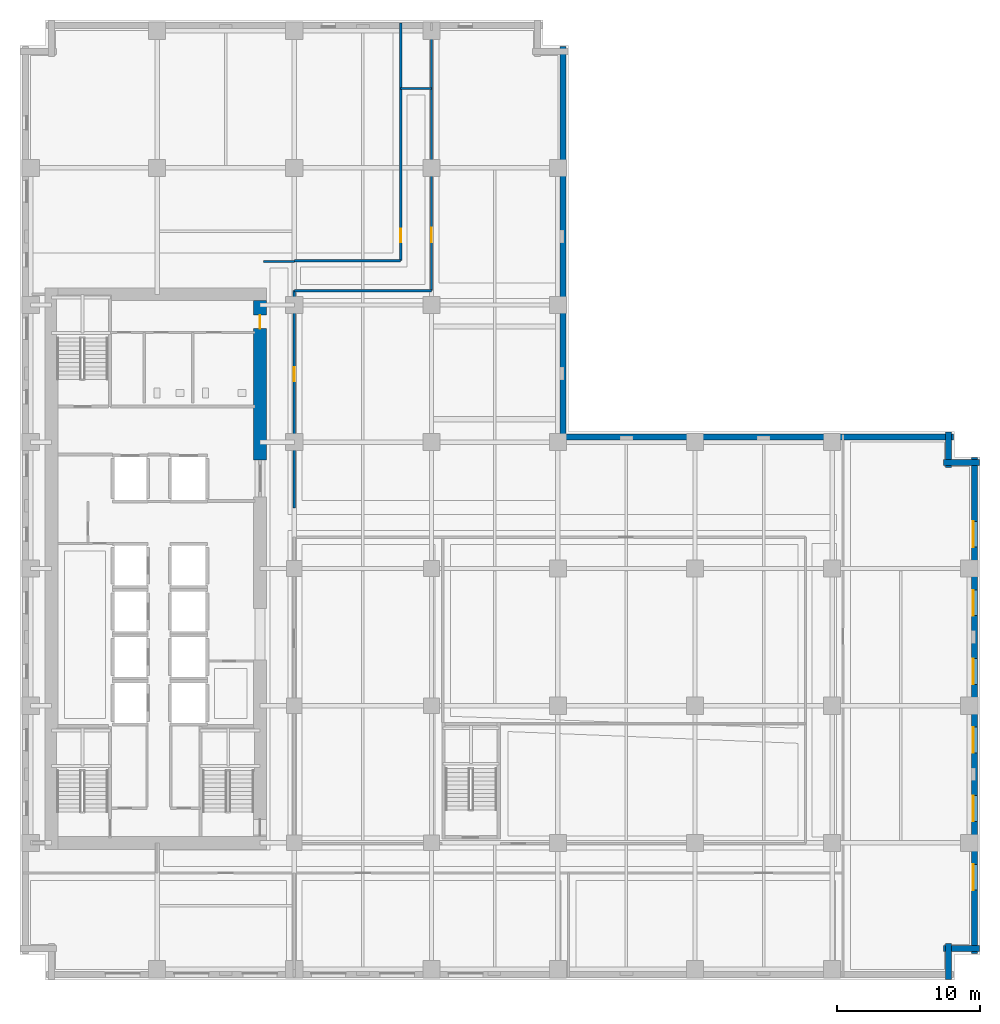
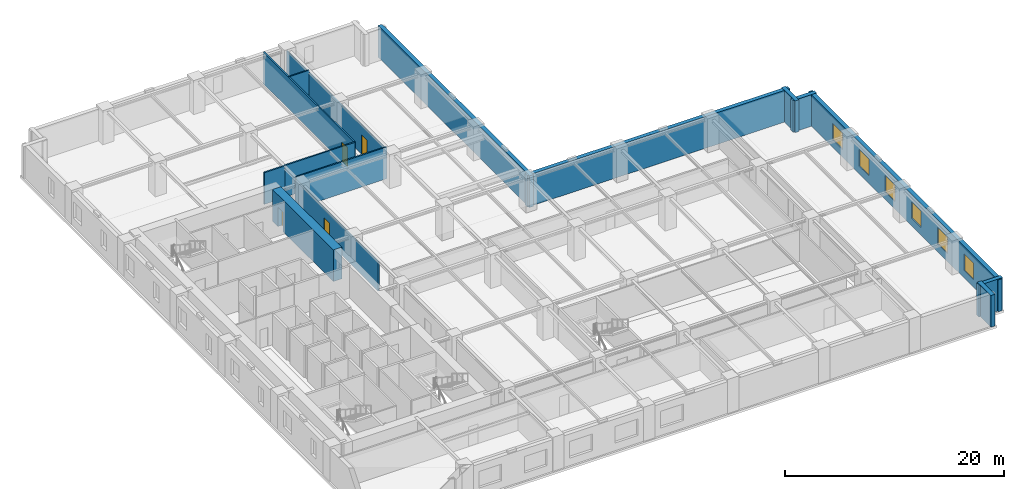
# One storey, part 7 of 13: 15 walls, 6 windows, 4 doors, 10 openings.
"""IFC4 building model written with IfcOpenShell, lengths in metres."""

from ifc_helpers import new_model, si_unit, direction, frame, frame_2d, origin, place, context, subcontext, project, spatial, rectangle, extrude, material, layer, layer_set, type_object, element, fill, save


model = new_model("IFC4")

# Units and contexts
model_context = context("Model", 3, precision=1e-05, world=origin(), true_north=direction((0.0, 1.0)))
body_context = subcontext(model_context, "Body", "Model", "MODEL_VIEW")
ifc_project = project(units=[si_unit("LENGTHUNIT", "METRE"), si_unit("AREAUNIT", "SQUARE_METRE"), si_unit("VOLUMEUNIT", "CUBIC_METRE"), si_unit("PLANEANGLEUNIT", "RADIAN"), si_unit("MASSUNIT", "GRAM", prefix="KILO")], contexts=[model_context])

# Site, building, storey
site_placement = place(None, origin())
site = spatial("IfcSite", under=ifc_project, at=site_placement, CompositionType="ELEMENT")
building_placement = place(site_placement, origin())
building = spatial("IfcBuilding", under=site, at=building_placement, Name="Norrvale University Quadrangle", CompositionType="ELEMENT")
storey_placement = place(building_placement, frame((0.0, 0.0, 54.60009765625)))
storey = spatial("IfcBuildingStorey", under=building, at=storey_placement, Name="L13", CompositionType="ELEMENT", Elevation=54.60009765625)

# Walls
ifc_material_1 = material(Name="Buff Norman Clay Brick Masonry", Category="masonry")
ifc_layer_1 = layer(ifc_material_1, 0.419921875, Name="Buff Norman Clay Brick Masonry")
ifc_layer_set_1 = layer_set([ifc_layer_1], Name="Buff Norman Clay Brick Masonry")
wall_type_1 = type_object("IfcWallType", Name="Wall Buff Brick 420", PredefinedType="SOLIDWALL", material=ifc_layer_set_1)
for number, where, z_axis, x_axis, name in (
    (1, (65.010009765625, 0.0400390625, 0.0), (0.0, 0.0, 1.0), (0.0, 1.0, 0.0), "Exterior Brick Facade Wall L13-02.1"),
    (2, (64.659912109375, 2.18994140625, 0.0), (0.0, 0.0, 1.0), (1.0, 0.0, 0.0), "Exterior Brick Facade Wall L13-03.1"),
):
    element("IfcWall", number, at=place(storey_placement, frame(where, z_axis=z_axis, x_axis=x_axis)), inside=storey, type_object=wall_type_1, Name=name, PredefinedType="SOLIDWALL", context=body_context, shape_type="SweptSolid", body=[
        extrude(rectangle(XDim=2.5, YDim=0.419921875, at=frame_2d((1.25, 0.0))), origin(), (0.0, 0.0, 1.0), 3.539794921875),
    ])

# Wall, openings, windows
wall_1_placement = place(storey_placement, frame((66.81005859375, 1.840087890625, 0.0), z_axis=(0.0, 0.0, 1.0), x_axis=(0.0, 1.0, 0.0)))
wall_1 = element("IfcWall", 3, at=wall_1_placement, inside=storey, type_object=wall_type_1, Name="Exterior Brick Facade Wall L13-04.1", PredefinedType="SOLIDWALL", context=body_context, shape_type="SweptSolid", body=[
    extrude(rectangle(XDim=34.719970703125, YDim=0.419921875, at=frame_2d((17.35986328125, 0.0))), origin(), (0.0, 0.0, 1.0), 3.539794921875),
])
opening_1_placement = place(wall_1_placement, frame((4.4599609375, 0.0, 0.85009765625)))
opening_1 = element("IfcOpeningElement", 4, at=opening_1_placement, cuts=wall_1, Name="Opening W01", PredefinedType="OPENING", context=body_context, shape_type="SweptSolid", body=[
    extrude(rectangle(XDim=1.800048828125, YDim=1.85009765625, at=frame_2d((0.89990234375, 0.925048828125))), frame((0.0, 0.221923828125, 0.0), z_axis=(0.0, -1.0, 0.0), x_axis=(1.0, 0.0, 0.0)), (0.0, 0.0, 1.0), 0.44384765625),
])
opening_2_placement = place(wall_1_placement, frame((9.260009765625, 0.0, 0.85009765625)))
opening_2 = element("IfcOpeningElement", 5, at=opening_2_placement, cuts=wall_1, Name="Opening W01", PredefinedType="OPENING", context=body_context, shape_type="SweptSolid", body=[
    extrude(rectangle(XDim=1.800048828125, YDim=1.85009765625, at=frame_2d((0.89990234375, 0.925048828125))), frame((0.0, 0.221923828125, 0.0), z_axis=(0.0, -1.0, 0.0), x_axis=(1.0, 0.0, 0.0)), (0.0, 0.0, 1.0), 0.44384765625),
])
opening_3_placement = place(wall_1_placement, frame((14.06005859375, 0.0, 0.85009765625)))
opening_3 = element("IfcOpeningElement", 6, at=opening_3_placement, cuts=wall_1, Name="Opening W01", PredefinedType="OPENING", context=body_context, shape_type="SweptSolid", body=[
    extrude(rectangle(XDim=1.800048828125, YDim=1.85009765625, at=frame_2d((0.89990234375, 0.925048828125))), frame((0.0, 0.221923828125, 0.0), z_axis=(0.0, -1.0, 0.0), x_axis=(1.0, 0.0, 0.0)), (0.0, 0.0, 1.0), 0.44384765625),
])
opening_4_placement = place(wall_1_placement, frame((18.860107421875, 0.0, 0.85009765625)))
opening_4 = element("IfcOpeningElement", 7, at=opening_4_placement, cuts=wall_1, Name="Opening W01", PredefinedType="OPENING", context=body_context, shape_type="SweptSolid", body=[
    extrude(rectangle(XDim=1.800048828125, YDim=1.85009765625, at=frame_2d((0.89990234375, 0.925048828125))), frame((0.0, 0.221923828125, 0.0), z_axis=(0.0, -1.0, 0.0), x_axis=(1.0, 0.0, 0.0)), (0.0, 0.0, 1.0), 0.44384765625),
])
opening_5_placement = place(wall_1_placement, frame((23.659912109375, 0.0, 0.85009765625)))
opening_5 = element("IfcOpeningElement", 8, at=opening_5_placement, cuts=wall_1, Name="Opening W01", PredefinedType="OPENING", context=body_context, shape_type="SweptSolid", body=[
    extrude(rectangle(XDim=1.800048828125, YDim=1.85009765625, at=frame_2d((0.89990234375, 0.925048828125))), frame((0.0, 0.221923828125, 0.0), z_axis=(0.0, -1.0, 0.0), x_axis=(1.0, 0.0, 0.0)), (0.0, 0.0, 1.0), 0.44384765625),
])
opening_6_placement = place(wall_1_placement, frame((28.4599609375, 0.0, 0.85009765625)))
opening_6 = element("IfcOpeningElement", 9, at=opening_6_placement, cuts=wall_1, Name="Opening W01", PredefinedType="OPENING", context=body_context, shape_type="SweptSolid", body=[
    extrude(rectangle(XDim=1.800048828125, YDim=1.85009765625, at=frame_2d((0.89990234375, 0.925048828125))), frame((0.0, 0.221923828125, 0.0), z_axis=(0.0, -1.0, 0.0), x_axis=(1.0, 0.0, 0.0)), (0.0, 0.0, 1.0), 0.44384765625),
])
ifc_material_2 = material(Name="Triple Low-E Argon Glazing", Category="glass")
window_type = type_object("IfcWindowType", Name="Window Academic 1800x2300", PartitioningType="DOUBLE_PANEL_VERTICAL", PredefinedType="WINDOW", material=ifc_material_2)
window_1_placement = place(opening_1_placement, origin())
window_1 = element("IfcWindow", 10, at=window_1_placement, inside=storey, type_object=window_type, Name="Window Academic 1800x2300 WIN-L13-E04-1-01", OverallHeight=1.85009765625, OverallWidth=1.800048828125, PartitioningType="DOUBLE_PANEL_VERTICAL", PredefinedType="WINDOW", context=body_context, shape_type="SweptSolid", body=[
    extrude(rectangle(XDim=1.800048828125, YDim=1.85009765625, at=frame_2d((0.89990234375, 0.925048828125))), frame((0.0, 0.110107421875, 0.0), z_axis=(0.0, -1.0, 0.0), x_axis=(1.0, 0.0, 0.0)), (0.0, 0.0, 1.0), 0.06005859375),
])
fill(opening_1, window_1)
window_2_placement = place(opening_2_placement, origin())
window_2 = element("IfcWindow", 11, at=window_2_placement, inside=storey, type_object=window_type, Name="Window Academic 1800x2300 WIN-L13-E04-1-02", OverallHeight=1.85009765625, OverallWidth=1.800048828125, PartitioningType="DOUBLE_PANEL_VERTICAL", PredefinedType="WINDOW", context=body_context, shape_type="SweptSolid", body=[
    extrude(rectangle(XDim=1.800048828125, YDim=1.85009765625, at=frame_2d((0.89990234375, 0.925048828125))), frame((0.0, 0.110107421875, 0.0), z_axis=(0.0, -1.0, 0.0), x_axis=(1.0, 0.0, 0.0)), (0.0, 0.0, 1.0), 0.06005859375),
])
fill(opening_2, window_2)
window_3_placement = place(opening_3_placement, origin())
window_3 = element("IfcWindow", 12, at=window_3_placement, inside=storey, type_object=window_type, Name="Window Academic 1800x2300 WIN-L13-E04-1-03", OverallHeight=1.85009765625, OverallWidth=1.800048828125, PartitioningType="DOUBLE_PANEL_VERTICAL", PredefinedType="WINDOW", context=body_context, shape_type="SweptSolid", body=[
    extrude(rectangle(XDim=1.800048828125, YDim=1.85009765625, at=frame_2d((0.89990234375, 0.925048828125))), frame((0.0, 0.110107421875, 0.0), z_axis=(0.0, -1.0, 0.0), x_axis=(1.0, 0.0, 0.0)), (0.0, 0.0, 1.0), 0.06005859375),
])
fill(opening_3, window_3)
window_4_placement = place(opening_4_placement, origin())
window_4 = element("IfcWindow", 13, at=window_4_placement, inside=storey, type_object=window_type, Name="Window Academic 1800x2300 WIN-L13-E04-1-04", OverallHeight=1.85009765625, OverallWidth=1.800048828125, PartitioningType="DOUBLE_PANEL_VERTICAL", PredefinedType="WINDOW", context=body_context, shape_type="SweptSolid", body=[
    extrude(rectangle(XDim=1.800048828125, YDim=1.85009765625, at=frame_2d((0.89990234375, 0.925048828125))), frame((0.0, 0.110107421875, 0.0), z_axis=(0.0, -1.0, 0.0), x_axis=(1.0, 0.0, 0.0)), (0.0, 0.0, 1.0), 0.06005859375),
])
fill(opening_4, window_4)
window_5_placement = place(opening_5_placement, origin())
window_5 = element("IfcWindow", 14, at=window_5_placement, inside=storey, type_object=window_type, Name="Window Academic 1800x2300 WIN-L13-E04-1-05", OverallHeight=1.85009765625, OverallWidth=1.800048828125, PartitioningType="DOUBLE_PANEL_VERTICAL", PredefinedType="WINDOW", context=body_context, shape_type="SweptSolid", body=[
    extrude(rectangle(XDim=1.800048828125, YDim=1.85009765625, at=frame_2d((0.89990234375, 0.925048828125))), frame((0.0, 0.110107421875, 0.0), z_axis=(0.0, -1.0, 0.0), x_axis=(1.0, 0.0, 0.0)), (0.0, 0.0, 1.0), 0.06005859375),
])
fill(opening_5, window_5)
window_6_placement = place(opening_6_placement, origin())
window_6 = element("IfcWindow", 15, at=window_6_placement, inside=storey, type_object=window_type, Name="Window Academic 1800x2300 WIN-L13-E04-1-06", OverallHeight=1.85009765625, OverallWidth=1.800048828125, PartitioningType="DOUBLE_PANEL_VERTICAL", PredefinedType="WINDOW", context=body_context, shape_type="SweptSolid", body=[
    extrude(rectangle(XDim=1.800048828125, YDim=1.85009765625, at=frame_2d((0.89990234375, 0.925048828125))), frame((0.0, 0.110107421875, 0.0), z_axis=(0.0, -1.0, 0.0), x_axis=(1.0, 0.0, 0.0)), (0.0, 0.0, 1.0), 0.06005859375),
])
fill(opening_6, window_6)

# Walls
for number, where, z_axis, x_axis, name in (
    (16, (67.159912109375, 36.2099609375, 0.0), (0.0, 0.0, 1.0), (-1.0, 0.0, 0.0), "Exterior Brick Facade Wall L13-05.1"),
    (17, (65.010009765625, 35.860107421875, 0.0), (0.0, 0.0, 1.0), (0.0, 1.0, 0.0), "Exterior Brick Facade Wall L13-06.1"),
):
    element("IfcWall", number, at=place(storey_placement, frame(where, z_axis=z_axis, x_axis=x_axis)), inside=storey, type_object=wall_type_1, Name=name, PredefinedType="SOLIDWALL", context=body_context, shape_type="SweptSolid", body=[
        extrude(rectangle(XDim=2.5, YDim=0.419921875, at=frame_2d((1.25, 0.0))), origin(), (0.0, 0.0, 1.0), 3.539794921875),
    ])
for number, where, z_axis, x_axis, name in (
    (18, (65.360107421875, 38.010009765625, 0.0), (0.0, 0.0, 1.0), (-1.0, 0.0, 0.0), "Exterior Brick Facade Wall L13-07.1"),
    (19, (38.010009765625, 37.659912109375, 0.0), (0.0, 0.0, 1.0), (0.0, 1.0, 0.0), "Exterior Brick Facade Wall L13-08.1"),
):
    element("IfcWall", number, at=place(storey_placement, frame(where, z_axis=z_axis, x_axis=x_axis)), inside=storey, type_object=wall_type_1, Name=name, PredefinedType="SOLIDWALL", context=body_context, shape_type="SweptSolid", body=[
        extrude(rectangle(XDim=27.7001953125, YDim=0.419921875, at=frame_2d((13.85009765625, 0.0))), origin(), (0.0, 0.0, 1.0), 3.539794921875),
    ])

# Wall, opening, door
ifc_material_3 = material(Name="Concrete C80/95", Category="concrete")
ifc_layer_2 = layer(ifc_material_3, 0.89990234375, Name="Concrete C80/95")
ifc_layer_set_2 = layer_set([ifc_layer_2], Name="Concrete C80/95")
wall_type_2 = type_object("IfcWallType", Name="Wall Core 900", PredefinedType="SHEAR", material=ifc_layer_set_2)
wall_2_placement = place(storey_placement, frame((16.800048828125, 36.39990234375, 0.0), z_axis=(0.0, 0.0, 1.0), x_axis=(0.0, 1.0, 0.0)))
wall_2 = element("IfcWall", 20, at=wall_2_placement, inside=storey, type_object=wall_type_2, Name="Tower Core Shear Wall L13-E3", PredefinedType="SHEAR", context=body_context, shape_type="SweptSolid", body=[
    extrude(rectangle(XDim=11.150146484375, YDim=0.89990234375, at=frame_2d((5.5751953125, 0.0))), origin(), (0.0, 0.0, 1.0), 3.539794921875),
])
opening_7_placement = place(wall_2_placement, frame((9.199951171875, 0.0, 0.0)))
opening_7 = element("IfcOpeningElement", 21, at=opening_7_placement, cuts=wall_2, Name="Opening D07", PredefinedType="OPENING", context=body_context, shape_type="SweptSolid", body=[
    extrude(rectangle(XDim=0.949951171875, YDim=2.14990234375, at=frame_2d((0.47509765625, 1.074951171875))), frame((0.0, 0.4619140625, 0.0), z_axis=(0.0, -1.0, 0.0), x_axis=(1.0, 0.0, 0.0)), (0.0, 0.0, 1.0), 0.923828125),
])
ifc_material_4 = material(Name="Solid-Core Maple Door", Category="wood")
door_type_1 = type_object("IfcDoorType", Name="Door Office 950x2150", OperationType="NOTDEFINED", PredefinedType="DOOR", material=ifc_material_4)
door_1_placement = place(opening_7_placement, origin())
door_1 = element("IfcDoor", 22, at=door_1_placement, inside=storey, type_object=door_type_1, Name="Door Office 950x2150 DR-L13-NECORR", OperationType="SINGLE_SWING_RIGHT", OverallHeight=2.14990234375, OverallWidth=0.949951171875, PredefinedType="DOOR", context=body_context, shape_type="SweptSolid", body=[
    extrude(rectangle(XDim=0.949951171875, YDim=2.14990234375, at=frame_2d((0.47509765625, 1.074951171875))), frame((0.0, 0.02490234375, 0.0), z_axis=(0.0, -1.0, 0.0), x_axis=(1.0, 0.0, 0.0)), (0.0, 0.0, 1.0), 0.050048828125),
])
fill(opening_7, door_1)

# Wall
ifc_material_5 = material(Name="Fire-Rated Gypsum Stud Partition")
ifc_layer_3 = layer(ifc_material_5, 0.14990234375, Name="Fire-Rated Gypsum Stud Partition")
ifc_layer_set_3 = layer_set([ifc_layer_3], Name="Fire-Rated Gypsum Stud Partition")
wall_type_3 = type_object("IfcWallType", Name="Wall Gypsum Corridor 150", PredefinedType="PARTITIONING", material=ifc_layer_set_3)
wall_3_placement = place(storey_placement, frame((17.050048828125, 50.300048828125, 0.0), z_axis=(0.0, 0.0, 1.0), x_axis=(1.0, 0.0, 0.0)))
element("IfcWall", 23, at=wall_3_placement, inside=storey, type_object=wall_type_3, Name="Interior Partition WL-L13-CN-END", PredefinedType="PARTITIONING", context=body_context, shape_type="SweptSolid", body=[
    extrude(rectangle(XDim=2.14990234375, YDim=0.14990234375, at=frame_2d((1.074951171875, 0.0))), origin(), (0.0, 0.0, 1.0), 3.539794921875),
])

# Wall, opening, door
wall_4_placement = place(storey_placement, frame((19.199951171875, 33.050048828125, 0.0), z_axis=(0.0, 0.0, 1.0), x_axis=(0.0, 1.0, 0.0)))
wall_4 = element("IfcWall", 24, at=wall_4_placement, inside=storey, type_object=wall_type_3, Name="Interior Partition WL-L13-MNECW", PredefinedType="PARTITIONING", context=body_context, shape_type="SweptSolid", body=[
    extrude(rectangle(XDim=15.199951171875, YDim=0.14990234375, at=frame_2d((7.60009765625, 0.0))), origin(), (0.0, 0.0, 1.0), 3.23193359375),
])
opening_8_placement = place(wall_4_placement, frame((8.85009765625, 0.0, 0.0)))
opening_8 = element("IfcOpeningElement", 25, at=opening_8_placement, cuts=wall_4, Name="Opening D04", PredefinedType="OPENING", context=body_context, shape_type="SweptSolid", body=[
    extrude(rectangle(XDim=1.0, YDim=2.199951171875, at=frame_2d((0.5, 1.10009765625))), frame((0.0, 0.0869140625, 0.0), z_axis=(0.0, -1.0, 0.0), x_axis=(1.0, 0.0, 0.0)), (0.0, 0.0, 1.0), 0.173828125),
])
ifc_material_6 = material(Name="Solid-Core Oak Fire Door", Category="wood")
door_type_2 = type_object("IfcDoorType", Name="Door Corridor 1000x2200", OperationType="NOTDEFINED", PredefinedType="DOOR", material=ifc_material_6)
door_2_placement = place(opening_8_placement, origin())
door_2 = element("IfcDoor", 26, at=door_2_placement, inside=storey, type_object=door_type_2, Name="Door Corridor 1000x2200 DR-L13-MNE01", OperationType="SINGLE_SWING_RIGHT", OverallHeight=2.199951171875, OverallWidth=1.0, PredefinedType="DOOR", context=body_context, shape_type="SweptSolid", body=[
    extrude(rectangle(XDim=1.0, YDim=2.199951171875, at=frame_2d((0.5, 1.10009765625))), frame((0.0, 0.02490234375, 0.0), z_axis=(0.0, -1.0, 0.0), x_axis=(1.0, 0.0, 0.0)), (0.0, 0.0, 1.0), 0.050048828125),
])
fill(opening_8, door_2)

# Walls
wall_5_placement = place(storey_placement, frame((19.199951171875, 48.25, 0.0), z_axis=(0.0, 0.0, 1.0), x_axis=(1.0, 0.0, 0.0)))
element("IfcWall", 27, at=wall_5_placement, inside=storey, type_object=wall_type_3, Name="Interior Partition WL-L13-JOGS", PredefinedType="PARTITIONING", context=body_context, shape_type="SweptSolid", body=[
    extrude(rectangle(XDim=9.60009765625, YDim=0.14990234375, at=frame_2d((4.800048828125, 0.0))), origin(), (0.0, 0.0, 1.0), 3.539794921875),
])
wall_6_placement = place(storey_placement, frame((19.199951171875, 50.35009765625, 0.0), z_axis=(0.0, 0.0, 1.0), x_axis=(1.0, 0.0, 0.0)))
element("IfcWall", 28, at=wall_6_placement, inside=storey, type_object=wall_type_3, Name="Interior Partition WL-L13-JOGN", PredefinedType="PARTITIONING", context=body_context, shape_type="SweptSolid", body=[
    extrude(rectangle(XDim=7.449951171875, YDim=0.14990234375, at=frame_2d((3.72509765625, 0.0))), origin(), (0.0, 0.0, 1.0), 3.539794921875),
])
wall_7_placement = place(storey_placement, frame((26.64990234375, 62.39990234375, 0.0), z_axis=(0.0, 0.0, 1.0), x_axis=(1.0, 0.0, 0.0)))
element("IfcWall", 29, at=wall_7_placement, inside=storey, type_object=wall_type_3, Name="Interior Partition WL-L13-JOGEND", PredefinedType="PARTITIONING", context=body_context, shape_type="SweptSolid", body=[
    extrude(rectangle(XDim=2.150146484375, YDim=0.14990234375, at=frame_2d((1.0751953125, 0.0))), origin(), (0.0, 0.0, 1.0), 3.539794921875),
])

# Wall, opening, door
wall_8_placement = place(storey_placement, frame((28.800048828125, 48.25, 0.0), z_axis=(0.0, 0.0, 1.0), x_axis=(0.0, 1.0, 0.0)))
wall_8 = element("IfcWall", 30, at=wall_8_placement, inside=storey, type_object=wall_type_3, Name="Interior Partition WL-L13-NECW", PredefinedType="PARTITIONING", context=body_context, shape_type="SweptSolid", body=[
    extrude(rectangle(XDim=18.199951171875, YDim=0.14990234375, at=frame_2d((9.10009765625, 0.0))), origin(), (0.0, 0.0, 1.0), 3.23193359375),
])
opening_9_placement = place(wall_8_placement, frame((3.39990234375, 0.0, 0.0)))
opening_9 = element("IfcOpeningElement", 31, at=opening_9_placement, cuts=wall_8, Name="Opening D04", PredefinedType="OPENING", context=body_context, shape_type="SweptSolid", body=[
    extrude(rectangle(XDim=1.0, YDim=2.199951171875, at=frame_2d((0.5, 1.10009765625))), frame((0.0, 0.0869140625, 0.0), z_axis=(0.0, -1.0, 0.0), x_axis=(1.0, 0.0, 0.0)), (0.0, 0.0, 1.0), 0.173828125),
])
door_3_placement = place(opening_9_placement, origin())
door_3 = element("IfcDoor", 32, at=door_3_placement, inside=storey, type_object=door_type_2, Name="Door Corridor 1000x2200 DR-L13-NE01", OperationType="SINGLE_SWING_RIGHT", OverallHeight=2.199951171875, OverallWidth=1.0, PredefinedType="DOOR", context=body_context, shape_type="SweptSolid", body=[
    extrude(rectangle(XDim=1.0, YDim=2.199951171875, at=frame_2d((0.5, 1.10009765625))), frame((0.0, 0.02490234375, 0.0), z_axis=(0.0, -1.0, 0.0), x_axis=(1.0, 0.0, 0.0)), (0.0, 0.0, 1.0), 0.050048828125),
])
fill(opening_9, door_3)

wall_9_placement = place(storey_placement, frame((26.64990234375, 50.35009765625, 0.0), z_axis=(0.0, 0.0, 1.0), x_axis=(0.0, 1.0, 0.0)))
wall_9 = element("IfcWall", 33, at=wall_9_placement, inside=storey, type_object=wall_type_3, Name="Interior Partition WL-L13-NWCW", PredefinedType="PARTITIONING", context=body_context, shape_type="SweptSolid", body=[
    extrude(rectangle(XDim=16.6298828125, YDim=0.14990234375, at=frame_2d((8.31494140625, 0.0))), origin(), (0.0, 0.0, 1.0), 3.539794921875),
])
opening_10_placement = place(wall_9_placement, frame((1.300048828125, 0.0, 0.0)))
opening_10 = element("IfcOpeningElement", 34, at=opening_10_placement, cuts=wall_9, Name="Opening D07", PredefinedType="OPENING", context=body_context, shape_type="SweptSolid", body=[
    extrude(rectangle(XDim=0.949951171875, YDim=2.14990234375, at=frame_2d((0.47509765625, 1.074951171875))), frame((0.0, 0.0869140625, 0.0), z_axis=(0.0, -1.0, 0.0), x_axis=(1.0, 0.0, 0.0)), (0.0, 0.0, 1.0), 0.173828125),
])
door_4_placement = place(opening_10_placement, origin())
door_4 = element("IfcDoor", 35, at=door_4_placement, inside=storey, type_object=door_type_1, Name="Door Office 950x2150 DR-L13-NW01", OperationType="SINGLE_SWING_RIGHT", OverallHeight=2.14990234375, OverallWidth=0.949951171875, PredefinedType="DOOR", context=body_context, shape_type="SweptSolid", body=[
    extrude(rectangle(XDim=0.949951171875, YDim=2.14990234375, at=frame_2d((0.47509765625, 1.074951171875))), frame((0.0, 0.02490234375, 0.0), z_axis=(0.0, -1.0, 0.0), x_axis=(1.0, 0.0, 0.0)), (0.0, 0.0, 1.0), 0.050048828125),
])
fill(opening_10, door_4)

save(model, "model.ifc")
